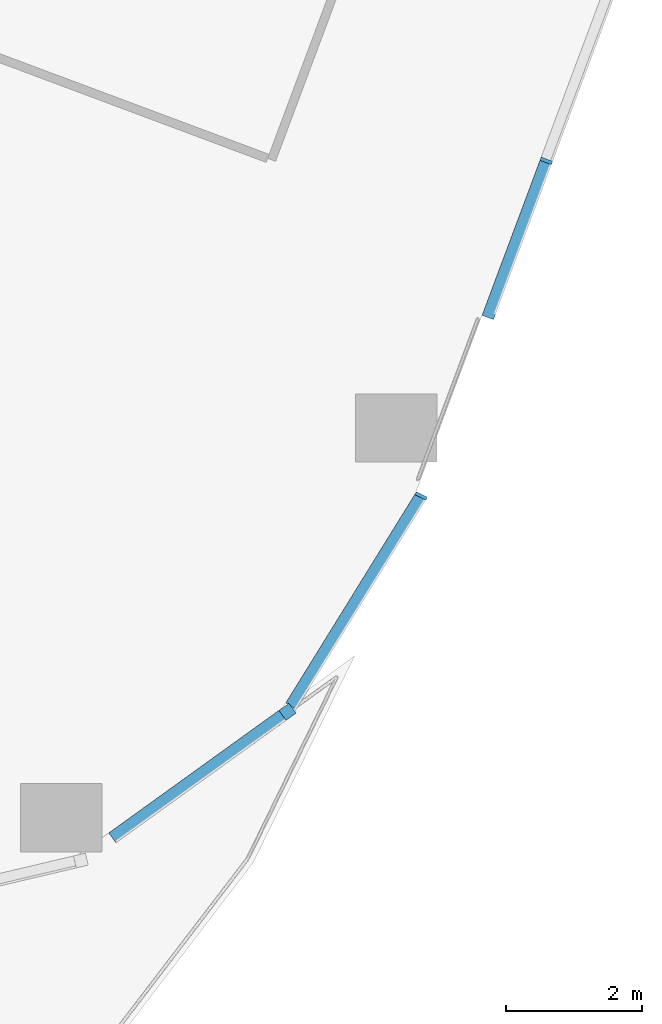
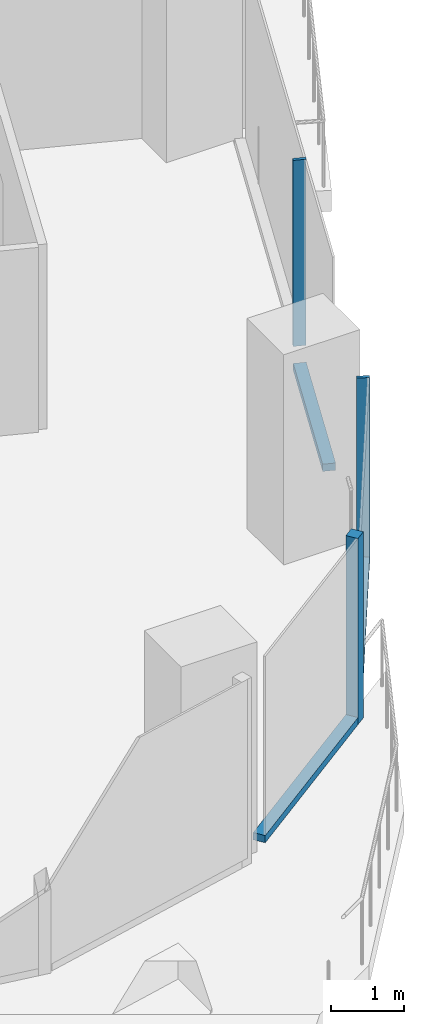
# One storey, part 8 of 30: 6 members, 3 elements without a shape of their own.
"""IFC4 building model written with IfcOpenShell, lengths in metres."""

from ifc_helpers import new_model, si_unit, direction, frame, origin, origin_2d, place, context, subcontext, project, spatial, rectangle, extrude, material, material_profile, profile_set, type_object, element, aggregate, save


model = new_model("IFC4")

# Units and contexts
model_context = context("Model", 3, precision=1e-05, world=origin(), true_north=direction((0.0, 1.0)))
body_context = subcontext(model_context, "Body", "Model", "MODEL_VIEW")
ifc_project = project(units=[si_unit("LENGTHUNIT", "METRE"), si_unit("AREAUNIT", "SQUARE_METRE"), si_unit("VOLUMEUNIT", "CUBIC_METRE"), si_unit("PLANEANGLEUNIT", "RADIAN"), si_unit("MASSUNIT", "GRAM", prefix="KILO")], contexts=[model_context])

# Site, building, storey
site_placement = place(None, origin())
site = spatial("IfcSite", under=ifc_project, at=site_placement, CompositionType="ELEMENT")
building_placement = place(site_placement, origin())
building = spatial("IfcBuilding", under=site, at=building_placement, Name="Orlundy Tower", CompositionType="ELEMENT")
storey_placement = place(building_placement, frame((0.0, 0.0, 80.699951171875)))
storey = spatial("IfcBuildingStorey", under=building, at=storey_placement, Name="L19", CompositionType="ELEMENT", Elevation=80.699951171875)

# Curtain wall, member
ifc_material_1 = material(Name="Aluminium bronze anodised", Category="aluminium")
curtain_wall_type = type_object("IfcCurtainWallType", Name="CW1 wall", PredefinedType="NOTDEFINED", material=ifc_material_1)
curtain_wall_1_placement = place(storey_placement, origin())
curtain_wall_1 = element("IfcCurtainWall", 1, at=curtain_wall_1_placement, inside=storey, type_object=curtain_wall_type, Name="CW1 run 013", PredefinedType="NOTDEFINED")
ifc_material_2 = material(Name="Aluminium bronze anodised", Category="aluminium")
ifc_material_profile_1 = material_profile(ifc_material_2, rectangle(XDim=0.179931640625, YDim=0.179931640625, at=origin_2d()), Name="CW1 corner post 180x180")
ifc_profile_set_1 = profile_set([ifc_material_profile_1], Name="Aluminium bronze anodised")
member_type_1 = type_object("IfcMemberType", Name="CW1 corner post 180x180", PredefinedType="MULLION", material=ifc_profile_set_1)
member_1_placement = place(storey_placement, frame((50.171142578125, -33.886474609375, 0.0), z_axis=(0.0, 0.0, 1.0), x_axis=(0.584347367051, -0.811503638082, 0.0)))
member_1 = element("IfcMember", 2, at=member_1_placement, type_object=member_type_1, Name="CW1 mullion 41", PredefinedType="MULLION", context=body_context, shape_type="SweptSolid", body=[
    extrude(rectangle(XDim=0.179931640625, YDim=0.179931640625, at=origin_2d()), origin(), (0.0, 0.0, 1.0), 3.10009765625),
])

curtain_wall_2_placement = place(storey_placement, origin())
curtain_wall_2 = element("IfcCurtainWall", 3, at=curtain_wall_2_placement, inside=storey, type_object=curtain_wall_type, Name="CW1 run 011", PredefinedType="NOTDEFINED")
ifc_material_3 = material(Name="Aluminium bronze anodised", Category="aluminium")
ifc_material_profile_2 = material_profile(ifc_material_3, rectangle(XDim=0.179931640625, YDim=0.050048828125, at=origin_2d()), Name="CW1 mullion 50x180")
ifc_profile_set_2 = profile_set([ifc_material_profile_2], Name="Aluminium bronze anodised")
member_type_2 = type_object("IfcMemberType", Name="CW1 mullion 50x180", PredefinedType="MULLION", material=ifc_profile_set_2)
member_2_placement = place(storey_placement, frame((53.977783203125, -25.7861328125, 0.0), z_axis=(0.0, 0.0, 1.0), x_axis=(0.936677057252, -0.350194360916, 0.0)))
member_2 = element("IfcMember", 4, at=member_2_placement, type_object=member_type_2, Name="CW1 mullion 39", PredefinedType="MULLION", context=body_context, shape_type="SweptSolid", body=[
    extrude(rectangle(XDim=0.179931640625, YDim=0.050048828125, at=origin_2d()), origin(), (0.0, 0.0, 1.0), 3.10009765625),
])

curtain_wall_3_placement = place(storey_placement, origin())
curtain_wall_3 = element("IfcCurtainWall", 5, at=curtain_wall_3_placement, inside=storey, type_object=curtain_wall_type, Name="CW1 run 012", PredefinedType="NOTDEFINED")
member_3_placement = place(storey_placement, frame((52.13623046875, -30.7119140625, 0.0), z_axis=(0.0, 0.0, 1.0), x_axis=(0.897814185367, -0.44037448672, 0.0)))
member_3 = element("IfcMember", 6, at=member_3_placement, type_object=member_type_2, Name="CW1 mullion 40", PredefinedType="MULLION", context=body_context, shape_type="SweptSolid", body=[
    extrude(rectangle(XDim=0.179931640625, YDim=0.050048828125, at=origin_2d()), origin(), (0.0, 0.0, 1.0), 3.10009765625),
])

# Member
ifc_material_4 = material(Name="Aluminium bronze anodised", Category="aluminium")
ifc_material_profile_3 = material_profile(ifc_material_4, rectangle(XDim=0.179931640625, YDim=0.1201171875, at=origin_2d()), Name="CW1 transom 180x120")
ifc_profile_set_3 = profile_set([ifc_material_profile_3], Name="Aluminium bronze anodised")
member_type_3 = type_object("IfcMemberType", Name="CW1 transom 180x120", PredefinedType="USERDEFINED", material=ifc_profile_set_3)
member_4_placement = place(storey_placement, frame((53.968994140625, -25.809326171875, -0.33984375), z_axis=(-0.350167193152, -0.936687213984, 0.0), x_axis=(0.936687213984, -0.350167193152, 0.0)))
member_4 = element("IfcMember", 7, at=member_4_placement, type_object=member_type_3, Name="CW1 transom", ObjectType="TRANSOM", PredefinedType="USERDEFINED", context=body_context, shape_type="SweptSolid", body=[
    extrude(rectangle(XDim=0.179931640625, YDim=0.1201171875, at=origin_2d()), origin(), (0.0, 0.0, 1.0), 2.4345703125),
])

aggregate(curtain_wall_2, [member_2, member_4])

member_5_placement = place(storey_placement, frame((52.123046875, -30.733154296875, 0.06005859375), z_axis=(-0.526317375067, -0.850288198614, 0.0), x_axis=(0.850288198614, -0.526317375067, 0.0)))
member_5 = element("IfcMember", 8, at=member_5_placement, type_object=member_type_3, Name="CW1 transom", ObjectType="TRANSOM", PredefinedType="USERDEFINED", context=body_context, shape_type="SweptSolid", body=[
    extrude(rectangle(XDim=0.179931640625, YDim=0.1201171875, at=origin_2d()), origin(), (0.0, 0.0, 1.0), 3.611083984375),
])

aggregate(curtain_wall_3, [member_3, member_5])

member_6_placement = place(storey_placement, frame((50.09814453125, -33.939208984375, 0.06005859375), z_axis=(-0.811511804661, -0.58433602567, 0.0), x_axis=(0.58433602567, -0.811511804661, 0.0)))
member_6 = element("IfcMember", 9, at=member_6_placement, type_object=member_type_3, Name="CW1 transom", ObjectType="TRANSOM", PredefinedType="USERDEFINED", context=body_context, shape_type="SweptSolid", body=[
    extrude(rectangle(XDim=0.179931640625, YDim=0.1201171875, at=origin_2d()), origin(), (0.0, 0.0, 1.0), 3.082275390625),
])

aggregate(curtain_wall_1, [member_1, member_6])

save(model, "model.ifc")
